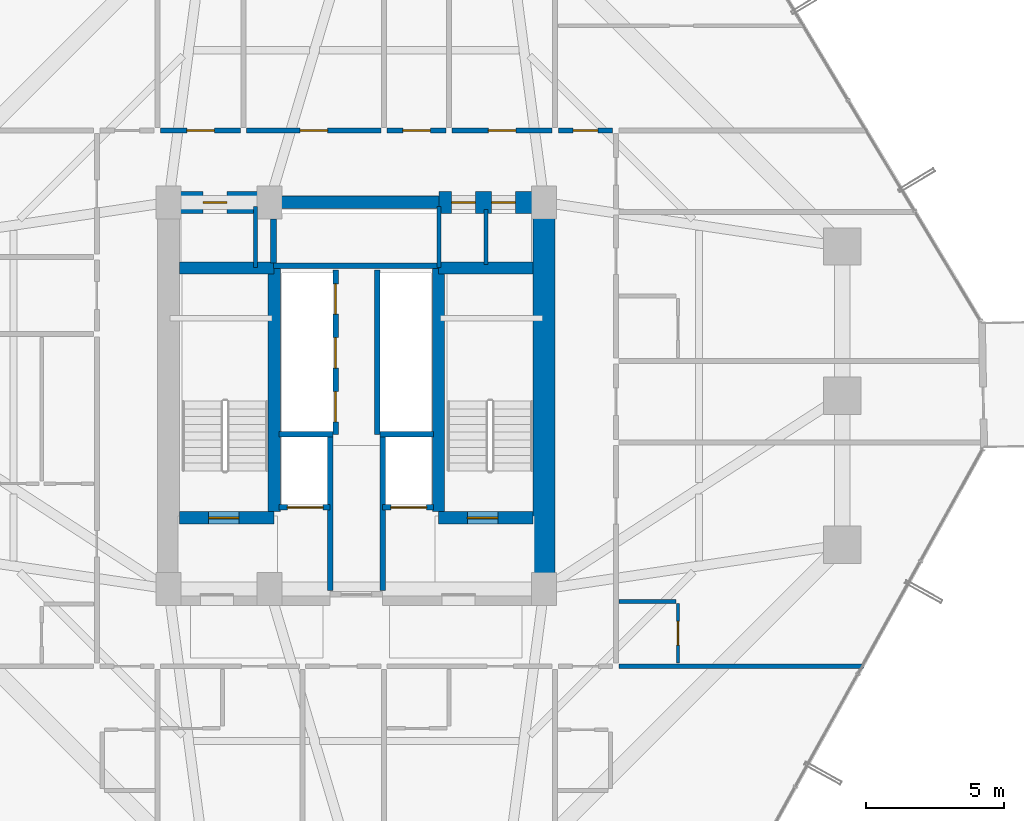
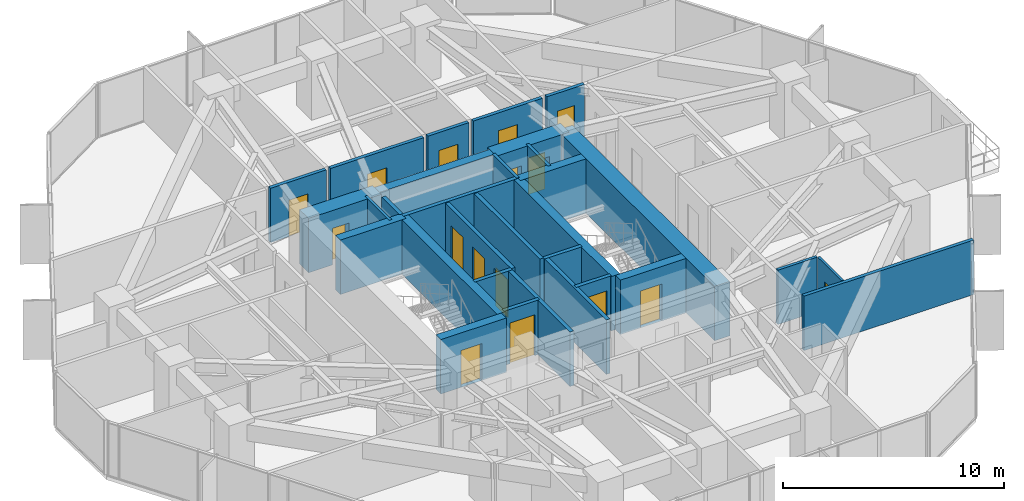
# One storey, part 36 of 39: 31 walls, 16 doors, 16 openings.
"""IFC4 building model written with IfcOpenShell, lengths in metres."""

from ifc_helpers import new_model, si_unit, direction, frame, frame_2d, origin, place, context, subcontext, project, spatial, rectangle, extrude, source, transform, mapped, material, layer, layer_set, type_object, element, fill, save


model = new_model("IFC4")

# Units and contexts
model_context = context("Model", 3, precision=1e-05, world=origin(), true_north=direction((0.0, 1.0)))
body_context = subcontext(model_context, "Body", "Model", "MODEL_VIEW")
ifc_project = project(units=[si_unit("LENGTHUNIT", "METRE"), si_unit("AREAUNIT", "SQUARE_METRE"), si_unit("VOLUMEUNIT", "CUBIC_METRE"), si_unit("PLANEANGLEUNIT", "RADIAN"), si_unit("MASSUNIT", "GRAM", prefix="KILO")], contexts=[model_context])

# Site, building, storey
site_placement = place(None, origin())
site = spatial("IfcSite", under=ifc_project, at=site_placement, CompositionType="ELEMENT")
building_placement = place(site_placement, origin())
building = spatial("IfcBuilding", under=site, at=building_placement, Name="Veraguas Prism Commons", CompositionType="ELEMENT")
storey_placement = place(building_placement, frame((0.0, 0.0, 27.300048828125)))
storey = spatial("IfcBuildingStorey", under=building, at=storey_placement, Name="L06", CompositionType="ELEMENT", Elevation=27.300048828125)

# Wall
ifc_material_1 = material(Name="Concrete C60/75", Category="concrete")
ifc_layer_1 = layer(ifc_material_1, 0.449951171875, Name="Core Internal Shear Wall Lower RC 450", Category="concrete")
ifc_layer_set_1 = layer_set([ifc_layer_1], Name="Concrete C60/75")
wall_type_1 = type_object("IfcWallType", Name="Core Internal Shear Wall Lower RC 450", PredefinedType="SHEAR", material=ifc_layer_set_1)
wall_1_placement = place(storey_placement, frame((21.0, 31.0, 0.0), z_axis=(0.0, 0.0, 1.0), x_axis=(1.0, 0.0, 0.0)))
element("IfcWall", 1, at=wall_1_placement, inside=storey, type_object=wall_type_1, Name="High-Rise Lift Bank Front Shear Wall L06", PredefinedType="SHEAR", context=body_context, shape_type="SweptSolid", body=[
    extrude(rectangle(XDim=6.0, YDim=0.449951171875, at=frame_2d((3.0, 0.0))), origin(), (0.0, 0.0, 1.0), 3.0),
])

# Wall, opening, door
wall_2_placement = place(storey_placement, frame((17.60009765625, 19.574951171875, 0.0), z_axis=(0.0, 0.0, 1.0), x_axis=(1.0, 0.0, 0.0)))
wall_2 = element("IfcWall", 2, at=wall_2_placement, inside=storey, type_object=wall_type_1, Name="Stair ST-01 South Shear Wall L06", PredefinedType="SHEAR", context=body_context, shape_type="SweptSolid", body=[
    extrude(rectangle(XDim=3.4248046875, YDim=0.449951171875, at=frame_2d((1.71240234375, 0.0))), origin(), (0.0, 0.0, 1.0), 3.0),
])
opening_1_placement = place(wall_2_placement, frame((1.050048828125, 0.0, 0.0)))
opening_1 = element("IfcOpeningElement", 3, at=opening_1_placement, cuts=wall_2, Name="Opening DR-05", PredefinedType="OPENING", context=body_context, shape_type="SweptSolid", body=[
    extrude(rectangle(XDim=1.10009765625, YDim=2.030029296875, at=frame_2d((0.550048828125, 1.01513671875))), frame((0.0, 0.23486328125, 0.0), z_axis=(0.0, -1.0, 0.0), x_axis=(1.0, 0.0, 0.0)), (0.0, 0.0, 1.0), 0.469970703125),
])
ifc_material_2 = material(Name="Steel fire-rated door assembly", Category="steel")
door_type_1 = type_object("IfcDoorType", Name="Protected Stair and Refuge Fire Door 1100x2030", OperationType="NOTDEFINED", PredefinedType="DOOR", material=ifc_material_2)
shared_shape_1 = source(origin(), body_context, "Body", "SweptSolid", [
    extrude(rectangle(XDim=1.10009765625, YDim=2.030029296875, at=frame_2d((0.550048828125, 1.01513671875))), frame((0.0, 0.02490234375, 0.0), z_axis=(0.0, -1.0, 0.0), x_axis=(1.0, 0.0, 0.0)), (0.0, 0.0, 1.0), 0.050048828125),
])
door_1_placement = place(opening_1_placement, origin())
door_1 = element("IfcDoor", 4, at=door_1_placement, inside=storey, type_object=door_type_1, Name="Stair ST-01 Enclosure Door L06", OperationType="SINGLE_SWING_LEFT", OverallHeight=2.030029296875, OverallWidth=1.10009765625, PredefinedType="DOOR", context=body_context, shape_type="MappedRepresentation", body=[
    mapped(shared_shape_1, transform((0.0, 0.0, 0.0), scale=1.0)),
])
fill(opening_1, door_1)

wall_3_placement = place(storey_placement, frame((26.97509765625, 19.574951171875, 0.0), z_axis=(0.0, 0.0, 1.0), x_axis=(1.0, 0.0, 0.0)))
wall_3 = element("IfcWall", 5, at=wall_3_placement, inside=storey, type_object=wall_type_1, Name="Stair ST-02 South Shear Wall L06", PredefinedType="SHEAR", context=body_context, shape_type="SweptSolid", body=[
    extrude(rectangle(XDim=3.4248046875, YDim=0.449951171875, at=frame_2d((1.71240234375, 0.0))), origin(), (0.0, 0.0, 1.0), 3.0),
])
opening_2_placement = place(wall_3_placement, frame((1.050048828125, 0.0, 0.0)))
opening_2 = element("IfcOpeningElement", 6, at=opening_2_placement, cuts=wall_3, Name="Opening DR-05", PredefinedType="OPENING", context=body_context, shape_type="SweptSolid", body=[
    extrude(rectangle(XDim=1.10009765625, YDim=2.030029296875, at=frame_2d((0.550048828125, 1.01513671875))), frame((0.0, 0.23486328125, 0.0), z_axis=(0.0, -1.0, 0.0), x_axis=(1.0, 0.0, 0.0)), (0.0, 0.0, 1.0), 0.469970703125),
])
door_2_placement = place(opening_2_placement, origin())
door_2 = element("IfcDoor", 7, at=door_2_placement, inside=storey, type_object=door_type_1, Name="Stair ST-02 Enclosure Door L06", OperationType="SINGLE_SWING_RIGHT", OverallHeight=2.030029296875, OverallWidth=1.10009765625, PredefinedType="DOOR", context=body_context, shape_type="MappedRepresentation", body=[
    mapped(shared_shape_1, transform((0.0, 0.0, 0.0), scale=1.0)),
])
fill(opening_2, door_2)

# Walls
for number, where, z_axis, x_axis, name in (
    (8, (21.02490234375, 19.800048828125, 0.0), (0.0, 0.0, 1.0), (0.0, 1.0, 0.0), "Stair ST-01 Inner Shear Wall L06"),
    (9, (26.97509765625, 19.800048828125, 0.0), (0.0, 0.0, 1.0), (0.0, 1.0, 0.0), "Stair ST-02 Inner Shear Wall L06"),
):
    element("IfcWall", number, at=place(storey_placement, frame(where, z_axis=z_axis, x_axis=x_axis)), inside=storey, type_object=wall_type_1, Name=name, PredefinedType="SHEAR", context=body_context, shape_type="SweptSolid", body=[
        extrude(rectangle(XDim=8.824951171875, YDim=0.449951171875, at=frame_2d((4.41259765625, 0.0))), origin(), (0.0, 0.0, 1.0), 3.0),
    ])
for number, where, z_axis, x_axis, name in (
    (10, (17.60009765625, 28.625, 0.0), (0.0, 0.0, 1.0), (1.0, 0.0, 0.0), "Stair ST-01 North Shear Wall L06"),
    (11, (26.97509765625, 28.625, 0.0), (0.0, 0.0, 1.0), (1.0, 0.0, 0.0), "Stair ST-02 North Shear Wall L06"),
):
    element("IfcWall", number, at=place(storey_placement, frame(where, z_axis=z_axis, x_axis=x_axis)), inside=storey, type_object=wall_type_1, Name=name, PredefinedType="SHEAR", context=body_context, shape_type="SweptSolid", body=[
        extrude(rectangle(XDim=3.4248046875, YDim=0.449951171875, at=frame_2d((1.71240234375, 0.0))), origin(), (0.0, 0.0, 1.0), 3.0),
    ])
ifc_layer_2 = layer(ifc_material_1, 0.800048828125, Name="Core Outer Shear Wall Lower RC 800", Category="concrete")
ifc_layer_set_2 = layer_set([ifc_layer_2], Name="Concrete C60/75")
wall_type_2 = type_object("IfcWallType", Name="Core Outer Shear Wall Lower RC 800", PredefinedType="SHEAR", material=ifc_layer_set_2)
wall_4_placement = place(storey_placement, frame((30.800048828125, 16.800048828125, 0.0), z_axis=(0.0, 0.0, 1.0), x_axis=(0.0, 1.0, 0.0)))
element("IfcWall", 12, at=wall_4_placement, inside=storey, type_object=wall_type_2, Name="Central Core East Shear Wall L06", PredefinedType="SHEAR", context=body_context, shape_type="SweptSolid", body=[
    extrude(rectangle(XDim=14.199951171875, YDim=0.800048828125, at=frame_2d((7.10009765625, 0.0))), origin(), (0.0, 0.0, 1.0), 3.0),
])

# Wall, opening, door
wall_5_placement = place(storey_placement, frame((17.199951171875, 31.0, 0.0), z_axis=(0.0, 0.0, 1.0), x_axis=(1.0, 0.0, 0.0)))
wall_5 = element("IfcWall", 13, at=wall_5_placement, inside=storey, type_object=wall_type_2, Name="Central Core North-West Shear Wall L06", PredefinedType="SHEAR", context=body_context, shape_type="SweptSolid", body=[
    extrude(rectangle(XDim=3.800048828125, YDim=0.800048828125, at=frame_2d((1.89990234375, 0.0))), origin(), (0.0, 0.0, 1.0), 3.0),
])
opening_3_placement = place(wall_5_placement, frame((1.25, 0.0, 0.0)))
opening_3 = element("IfcOpeningElement", 14, at=opening_3_placement, cuts=wall_5, Name="Opening DR-12", PredefinedType="OPENING", context=body_context, shape_type="SweptSolid", body=[
    extrude(rectangle(XDim=0.860107421875, YDim=2.010009765625, at=frame_2d((0.43017578125, 1.0048828125))), frame((0.0, 0.409912109375, 0.0), z_axis=(0.0, -1.0, 0.0), x_axis=(1.0, 0.0, 0.0)), (0.0, 0.0, 1.0), 0.820068359375),
])
door_type_2 = type_object("IfcDoorType", Name="Core WC Fire Door 860x2010", OperationType="NOTDEFINED", PredefinedType="DOOR", material=ifc_material_2)
shared_shape_2 = source(origin(), body_context, "Body", "SweptSolid", [
    extrude(rectangle(XDim=0.860107421875, YDim=2.010009765625, at=frame_2d((0.43017578125, 1.0048828125))), frame((0.0, 0.02490234375, 0.0), z_axis=(0.0, -1.0, 0.0), x_axis=(1.0, 0.0, 0.0)), (0.0, 0.0, 1.0), 0.050048828125),
])
door_3_placement = place(opening_3_placement, origin())
door_3 = element("IfcDoor", 15, at=door_3_placement, inside=storey, type_object=door_type_2, Name="Core NW Service Door L06", OperationType="SINGLE_SWING_RIGHT", OverallHeight=2.010009765625, OverallWidth=0.860107421875, PredefinedType="DOOR", context=body_context, shape_type="MappedRepresentation", body=[
    mapped(shared_shape_2, transform((0.0, 0.0, 0.0), scale=1.0)),
])
fill(opening_3, door_3)

# Wall, openings, doors
wall_6_placement = place(storey_placement, frame((27.0, 31.0, 0.0), z_axis=(0.0, 0.0, 1.0), x_axis=(1.0, 0.0, 0.0)))
wall_6 = element("IfcWall", 16, at=wall_6_placement, inside=storey, type_object=wall_type_2, Name="Central Core North-East Shear Wall L06", PredefinedType="SHEAR", context=body_context, shape_type="SweptSolid", body=[
    extrude(rectangle(XDim=3.800048828125, YDim=0.800048828125, at=frame_2d((1.89990234375, 0.0))), origin(), (0.0, 0.0, 1.0), 3.0),
])
opening_4_placement = place(wall_6_placement, frame((0.449951171875, 0.0, 0.0)))
opening_4 = element("IfcOpeningElement", 17, at=opening_4_placement, cuts=wall_6, Name="Opening DR-12", PredefinedType="OPENING", context=body_context, shape_type="SweptSolid", body=[
    extrude(rectangle(XDim=0.860107421875, YDim=2.010009765625, at=frame_2d((0.43017578125, 1.0048828125))), frame((0.0, 0.409912109375, 0.0), z_axis=(0.0, -1.0, 0.0), x_axis=(1.0, 0.0, 0.0)), (0.0, 0.0, 1.0), 0.820068359375),
])
opening_5_placement = place(wall_6_placement, frame((1.89990234375, 0.0, 0.0)))
opening_5 = element("IfcOpeningElement", 18, at=opening_5_placement, cuts=wall_6, Name="Opening DR-12", PredefinedType="OPENING", context=body_context, shape_type="SweptSolid", body=[
    extrude(rectangle(XDim=0.860107421875, YDim=2.010009765625, at=frame_2d((0.43017578125, 1.0048828125))), frame((0.0, 0.409912109375, 0.0), z_axis=(0.0, -1.0, 0.0), x_axis=(1.0, 0.0, 0.0)), (0.0, 0.0, 1.0), 0.820068359375),
])
door_4_placement = place(opening_4_placement, origin())
door_4 = element("IfcDoor", 19, at=door_4_placement, inside=storey, type_object=door_type_2, Name="Core NE Room A Door L06", OperationType="SINGLE_SWING_LEFT", OverallHeight=2.010009765625, OverallWidth=0.860107421875, PredefinedType="DOOR", context=body_context, shape_type="MappedRepresentation", body=[
    mapped(shared_shape_2, transform((0.0, 0.0, 0.0), scale=1.0)),
])
fill(opening_4, door_4)
door_5_placement = place(opening_5_placement, origin())
door_5 = element("IfcDoor", 20, at=door_5_placement, inside=storey, type_object=door_type_2, Name="Core NE Room B Door L06", OperationType="SINGLE_SWING_RIGHT", OverallHeight=2.010009765625, OverallWidth=0.860107421875, PredefinedType="DOOR", context=body_context, shape_type="MappedRepresentation", body=[
    mapped(shared_shape_2, transform((0.0, 0.0, 0.0), scale=1.0)),
])
fill(opening_5, door_5)

# Wall, opening, door
ifc_material_3 = material(Name="Autoclaved aerated masonry block 10 MPa", Category="masonry")
ifc_layer_3 = layer(ifc_material_3, 0.179931640625, Name="Corridor and Inter-Tenancy Partition 180", Category="masonry")
ifc_layer_set_3 = layer_set([ifc_layer_3], Name="Autoclaved aerated masonry block 10 MPa")
wall_type_3 = type_object("IfcWallType", Name="Corridor and Inter-Tenancy Partition 180", PredefinedType="PARTITIONING", material=ifc_layer_set_3)
wall_7_placement = place(storey_placement, frame((16.909912109375, 33.60009765625, 0.0), z_axis=(0.0, 0.0, 1.0), x_axis=(1.0, 0.0, 0.0)))
wall_7 = element("IfcWall", 21, at=wall_7_placement, inside=storey, type_object=wall_type_3, Name="WL-L06-PT014", PredefinedType="PARTITIONING", context=body_context, shape_type="SweptSolid", body=[
    extrude(rectangle(XDim=2.899169921875, YDim=0.179931640625, at=frame_2d((1.44970703125, 0.0))), origin(), (0.0, 0.0, 1.0), 3.0),
])
opening_6_placement = place(wall_7_placement, frame((0.949462890625, 0.0, 0.0)))
opening_6 = element("IfcOpeningElement", 22, at=opening_6_placement, cuts=wall_7, Name="Opening DR-13", PredefinedType="OPENING", context=body_context, shape_type="SweptSolid", body=[
    extrude(rectangle(XDim=1.0, YDim=2.010009765625, at=frame_2d((0.5, 1.0048828125))), frame((0.0, 0.099853515625, 0.0), z_axis=(0.0, -1.0, 0.0), x_axis=(1.0, 0.0, 0.0)), (0.0, 0.0, 1.0), 0.199951171875),
])
door_type_3 = type_object("IfcDoorType", Name="Core Accessible WC and Clinic Fire Door 1000x2010", OperationType="NOTDEFINED", PredefinedType="DOOR", material=ifc_material_2)
shared_shape_3 = source(origin(), body_context, "Body", "SweptSolid", [
    extrude(rectangle(XDim=1.0, YDim=2.010009765625, at=frame_2d((0.5, 1.0048828125))), frame((0.0, 0.02490234375, 0.0), z_axis=(0.0, -1.0, 0.0), x_axis=(1.0, 0.0, 0.0)), (0.0, 0.0, 1.0), 0.050048828125),
])
door_6_placement = place(opening_6_placement, origin())
door_6 = element("IfcDoor", 23, at=door_6_placement, inside=storey, type_object=door_type_3, Name="Residents Study Room Door", OperationType="SINGLE_SWING_RIGHT", OverallHeight=2.010009765625, OverallWidth=1.0, PredefinedType="DOOR", context=body_context, shape_type="MappedRepresentation", body=[
    mapped(shared_shape_3, transform((0.0, 0.0, 0.0), scale=1.0)),
])
fill(opening_6, door_6)

wall_8_placement = place(storey_placement, frame((20.029052734375, 33.60009765625, 0.0), z_axis=(0.0, 0.0, 1.0), x_axis=(1.0, 0.0, 0.0)))
wall_8 = element("IfcWall", 24, at=wall_8_placement, inside=storey, type_object=wall_type_3, Name="WL-L06-PT015", PredefinedType="PARTITIONING", context=body_context, shape_type="SweptSolid", body=[
    extrude(rectangle(XDim=4.868896484375, YDim=0.179931640625, at=frame_2d((2.4345703125, 0.0))), origin(), (0.0, 0.0, 1.0), 3.0),
])
opening_7_placement = place(wall_8_placement, frame((1.9345703125, 0.0, 0.0)))
opening_7 = element("IfcOpeningElement", 25, at=opening_7_placement, cuts=wall_8, Name="Opening DR-13", PredefinedType="OPENING", context=body_context, shape_type="SweptSolid", body=[
    extrude(rectangle(XDim=1.0, YDim=2.010009765625, at=frame_2d((0.5, 1.0048828125))), frame((0.0, 0.099853515625, 0.0), z_axis=(0.0, -1.0, 0.0), x_axis=(1.0, 0.0, 0.0)), (0.0, 0.0, 1.0), 0.199951171875),
])
door_7_placement = place(opening_7_placement, origin())
door_7 = element("IfcDoor", 26, at=door_7_placement, inside=storey, type_object=door_type_3, Name="Co-op Store N Door", OperationType="SINGLE_SWING_LEFT", OverallHeight=2.010009765625, OverallWidth=1.0, PredefinedType="DOOR", context=body_context, shape_type="MappedRepresentation", body=[
    mapped(shared_shape_3, transform((0.0, 0.0, 0.0), scale=1.0)),
])
fill(opening_7, door_7)

wall_9_placement = place(storey_placement, frame((25.117919921875, 33.60009765625, 0.0), z_axis=(0.0, 0.0, 1.0), x_axis=(1.0, 0.0, 0.0)))
wall_9 = element("IfcWall", 27, at=wall_9_placement, inside=storey, type_object=wall_type_3, Name="WL-L06-PT018", PredefinedType="PARTITIONING", context=body_context, shape_type="SweptSolid", body=[
    extrude(rectangle(XDim=2.133056640625, YDim=0.179931640625, at=frame_2d((1.06640625, 0.0))), origin(), (0.0, 0.0, 1.0), 3.0),
])
opening_8_placement = place(wall_9_placement, frame((0.56640625, 0.0, 0.0)))
opening_8 = element("IfcOpeningElement", 28, at=opening_8_placement, cuts=wall_9, Name="Opening DR-13", PredefinedType="OPENING", context=body_context, shape_type="SweptSolid", body=[
    extrude(rectangle(XDim=1.0, YDim=2.010009765625, at=frame_2d((0.5, 1.0048828125))), frame((0.0, 0.099853515625, 0.0), z_axis=(0.0, -1.0, 0.0), x_axis=(1.0, 0.0, 0.0)), (0.0, 0.0, 1.0), 0.199951171875),
])
door_8_placement = place(opening_8_placement, origin())
door_8 = element("IfcDoor", 29, at=door_8_placement, inside=storey, type_object=door_type_3, Name="Shared Laundry Room Door", OperationType="SINGLE_SWING_RIGHT", OverallHeight=2.010009765625, OverallWidth=1.0, PredefinedType="DOOR", context=body_context, shape_type="MappedRepresentation", body=[
    mapped(shared_shape_3, transform((0.0, 0.0, 0.0), scale=1.0)),
])
fill(opening_8, door_8)

wall_10_placement = place(storey_placement, frame((27.470947265625, 33.60009765625, 0.0), z_axis=(0.0, 0.0, 1.0), x_axis=(1.0, 0.0, 0.0)))
wall_10 = element("IfcWall", 30, at=wall_10_placement, inside=storey, type_object=wall_type_3, Name="WL-L06-PT019", PredefinedType="PARTITIONING", context=body_context, shape_type="SweptSolid", body=[
    extrude(rectangle(XDim=3.619140625, YDim=0.179931640625, at=frame_2d((1.8095703125, 0.0))), origin(), (0.0, 0.0, 1.0), 3.0),
])
opening_9_placement = place(wall_10_placement, frame((1.3095703125, 0.0, 0.0)))
opening_9 = element("IfcOpeningElement", 31, at=opening_9_placement, cuts=wall_10, Name="Opening DR-13", PredefinedType="OPENING", context=body_context, shape_type="SweptSolid", body=[
    extrude(rectangle(XDim=1.0, YDim=2.010009765625, at=frame_2d((0.5, 1.0048828125))), frame((0.0, 0.099853515625, 0.0), z_axis=(0.0, -1.0, 0.0), x_axis=(1.0, 0.0, 0.0)), (0.0, 0.0, 1.0), 0.199951171875),
])
door_9_placement = place(opening_9_placement, origin())
door_9 = element("IfcDoor", 32, at=door_9_placement, inside=storey, type_object=door_type_3, Name="Co-op Store N Door", OperationType="SINGLE_SWING_LEFT", OverallHeight=2.010009765625, OverallWidth=1.0, PredefinedType="DOOR", context=body_context, shape_type="MappedRepresentation", body=[
    mapped(shared_shape_3, transform((0.0, 0.0, 0.0), scale=1.0)),
])
fill(opening_9, door_9)

# Wall
wall_11_placement = place(storey_placement, frame((33.52001953125, 14.199951171875, 0.0), z_axis=(0.0, 0.0, 1.0), x_axis=(1.0, 0.0, 0.0)))
element("IfcWall", 33, at=wall_11_placement, inside=storey, type_object=wall_type_3, Name="WL-L06-PT035", PredefinedType="PARTITIONING", context=body_context, shape_type="SweptSolid", body=[
    extrude(rectangle(XDim=8.846435546875, YDim=0.179931640625, at=frame_2d((4.42333984375, 0.0))), origin(), (0.0, 0.0, 1.0), 3.0),
])

# Wall, opening, door
wall_12_placement = place(storey_placement, frame((31.320068359375, 33.60009765625, 0.0), z_axis=(0.0, 0.0, 1.0), x_axis=(1.0, 0.0, 0.0)))
wall_12 = element("IfcWall", 34, at=wall_12_placement, inside=storey, type_object=wall_type_3, Name="WL-L06-PT057", PredefinedType="PARTITIONING", context=body_context, shape_type="SweptSolid", body=[
    extrude(rectangle(XDim=1.9599609375, YDim=0.179931640625, at=frame_2d((0.97998046875, 0.0))), origin(), (0.0, 0.0, 1.0), 3.0),
])
opening_10_placement = place(wall_12_placement, frame((0.530029296875, 0.0, 0.0)))
opening_10 = element("IfcOpeningElement", 35, at=opening_10_placement, cuts=wall_12, Name="Opening DR-14", PredefinedType="OPENING", context=body_context, shape_type="SweptSolid", body=[
    extrude(rectangle(XDim=0.89990234375, YDim=2.010009765625, at=frame_2d((0.449951171875, 1.0048828125))), frame((0.0, 0.099853515625, 0.0), z_axis=(0.0, -1.0, 0.0), x_axis=(1.0, 0.0, 0.0)), (0.0, 0.0, 1.0), 0.199951171875),
])
door_type_4 = type_object("IfcDoorType", Name="Core Service Room Fire Door 900x2010", OperationType="NOTDEFINED", PredefinedType="DOOR", material=ifc_material_2)
shared_shape_4 = source(origin(), body_context, "Body", "SweptSolid", [
    extrude(rectangle(XDim=0.89990234375, YDim=2.010009765625, at=frame_2d((0.449951171875, 1.0048828125))), frame((0.0, 0.02490234375, 0.0), z_axis=(0.0, -1.0, 0.0), x_axis=(1.0, 0.0, 0.0)), (0.0, 0.0, 1.0), 0.050048828125),
])
door_10_placement = place(opening_10_placement, origin())
door_10 = element("IfcDoor", 36, at=door_10_placement, inside=storey, type_object=door_type_4, Name="Shared Laundry Room Door", OperationType="SINGLE_SWING_RIGHT", OverallHeight=2.010009765625, OverallWidth=0.89990234375, PredefinedType="DOOR", context=body_context, shape_type="MappedRepresentation", body=[
    mapped(shared_shape_4, transform((0.0, 0.0, 0.0), scale=1.0)),
])
fill(opening_10, door_10)

ifc_material_4 = material(Name="Lightweight acoustic gypsum board")
ifc_layer_4 = layer(ifc_material_4, 0.125, Name="Internal Apartment Room Partition 125")
ifc_layer_set_4 = layer_set([ifc_layer_4], Name="Lightweight acoustic gypsum board")
wall_type_4 = type_object("IfcWallType", Name="Internal Apartment Room Partition 125", PredefinedType="PARTITIONING", material=ifc_layer_set_4)
wall_13_placement = place(storey_placement, frame((35.64990234375, 14.320068359375, 0.0), z_axis=(0.0, 0.0, 1.0), x_axis=(0.0, 1.0, 0.0)))
wall_13 = element("IfcWall", 37, at=wall_13_placement, inside=storey, type_object=wall_type_4, Name="WL-L06-PT041", PredefinedType="PARTITIONING", context=body_context, shape_type="SweptSolid", body=[
    extrude(rectangle(XDim=2.14990234375, YDim=0.125, at=frame_2d((1.074951171875, 0.0))), origin(), (0.0, 0.0, 1.0), 3.0),
])
opening_11_placement = place(wall_13_placement, frame((0.64501953125, 0.0, 0.0)))
opening_11 = element("IfcOpeningElement", 38, at=opening_11_placement, cuts=wall_13, Name="Opening DR-03", PredefinedType="OPENING", context=body_context, shape_type="SweptSolid", body=[
    extrude(rectangle(XDim=0.860107421875, YDim=2.010009765625, at=frame_2d((0.43017578125, 1.0048828125))), frame((0.0, 0.072509765625, 0.0), z_axis=(0.0, -1.0, 0.0), x_axis=(1.0, 0.0, 0.0)), (0.0, 0.0, 1.0), 0.14501953125),
])
ifc_material_5 = material(Name="Timber moisture-resistant leaf", Category="wood")
door_type_5 = type_object("IfcDoorType", Name="Internal Bathroom Door 860x2010", OperationType="NOTDEFINED", PredefinedType="DOOR", material=ifc_material_5)
door_11_placement = place(opening_11_placement, origin())
door_11 = element("IfcDoor", 39, at=door_11_placement, inside=storey, type_object=door_type_5, Name="Studio 06D Bathroom Door", OperationType="SINGLE_SWING_LEFT", OverallHeight=2.010009765625, OverallWidth=0.860107421875, PredefinedType="DOOR", context=body_context, shape_type="MappedRepresentation", body=[
    mapped(shared_shape_2, transform((0.0, 0.0, 0.0), scale=1.0)),
])
fill(opening_11, door_11)

ifc_layer_5 = layer(ifc_material_3, 0.199951171875, Name="Rated Shaft and Lobby Block Wall 200", Category="masonry")
ifc_layer_set_5 = layer_set([ifc_layer_5], Name="Autoclaved aerated masonry block 10 MPa")
wall_type_5 = type_object("IfcWallType", Name="Rated Shaft and Lobby Block Wall 200", PredefinedType="SOLIDWALL", material=ifc_layer_set_5)
wall_14_placement = place(storey_placement, frame((21.199951171875, 19.949951171875, 0.0), z_axis=(0.0, 0.0, 1.0), x_axis=(1.0, 0.0, 0.0)))
wall_14 = element("IfcWall", 40, at=wall_14_placement, inside=storey, type_object=wall_type_5, Name="Firefighting Lift FFL-1 Front Wall L06", PredefinedType="SOLIDWALL", context=body_context, shape_type="SweptSolid", body=[
    extrude(rectangle(XDim=1.85009765625, YDim=0.199951171875, at=frame_2d((0.925048828125, 0.0))), origin(), (0.0, 0.0, 1.0), 3.0),
])
opening_12_placement = place(wall_14_placement, frame((0.300048828125, 0.0, 0.0)))
opening_12 = element("IfcOpeningElement", 41, at=opening_12_placement, cuts=wall_14, Name="Opening LD-02", PredefinedType="OPENING", context=body_context, shape_type="SweptSolid", body=[
    extrude(rectangle(XDim=1.300048828125, YDim=2.25, at=frame_2d((0.64990234375, 1.125))), frame((0.0, 0.10986328125, 0.0), z_axis=(0.0, -1.0, 0.0), x_axis=(1.0, 0.0, 0.0)), (0.0, 0.0, 1.0), 0.219970703125),
])
ifc_material_6 = material(Name="Stainless steel AISI 316", Category="steel")
door_type_6 = type_object("IfcDoorType", Name="Firefighting Lift Sliding Landing Door 1300x2250", OperationType="NOTDEFINED", PredefinedType="DOOR", material=ifc_material_6)
shared_shape_5 = source(origin(), body_context, "Body", "SweptSolid", [
    extrude(rectangle(XDim=1.300048828125, YDim=2.25, at=frame_2d((0.64990234375, 1.125))), frame((0.0, 0.02490234375, 0.0), z_axis=(0.0, -1.0, 0.0), x_axis=(1.0, 0.0, 0.0)), (0.0, 0.0, 1.0), 0.050048828125),
])
door_12_placement = place(opening_12_placement, origin())
door_12 = element("IfcDoor", 42, at=door_12_placement, inside=storey, type_object=door_type_6, Name="Firefighting Lift FFL-1 Landing Door L06", OperationType="SLIDING_TO_LEFT", OverallHeight=2.25, OverallWidth=1.300048828125, PredefinedType="DOOR", context=body_context, shape_type="MappedRepresentation", body=[
    mapped(shared_shape_5, transform((0.0, 0.0, 0.0), scale=1.0)),
])
fill(opening_12, door_12)

wall_15_placement = place(storey_placement, frame((24.949951171875, 19.949951171875, 0.0), z_axis=(0.0, 0.0, 1.0), x_axis=(1.0, 0.0, 0.0)))
wall_15 = element("IfcWall", 43, at=wall_15_placement, inside=storey, type_object=wall_type_5, Name="Firefighting Lift FFL-2 Front Wall L06", PredefinedType="SOLIDWALL", context=body_context, shape_type="SweptSolid", body=[
    extrude(rectangle(XDim=1.85009765625, YDim=0.199951171875, at=frame_2d((0.925048828125, 0.0))), origin(), (0.0, 0.0, 1.0), 3.0),
])
opening_13_placement = place(wall_15_placement, frame((0.300048828125, 0.0, 0.0)))
opening_13 = element("IfcOpeningElement", 44, at=opening_13_placement, cuts=wall_15, Name="Opening LD-02", PredefinedType="OPENING", context=body_context, shape_type="SweptSolid", body=[
    extrude(rectangle(XDim=1.300048828125, YDim=2.25, at=frame_2d((0.64990234375, 1.125))), frame((0.0, 0.10986328125, 0.0), z_axis=(0.0, -1.0, 0.0), x_axis=(1.0, 0.0, 0.0)), (0.0, 0.0, 1.0), 0.219970703125),
])
door_13_placement = place(opening_13_placement, origin())
door_13 = element("IfcDoor", 45, at=door_13_placement, inside=storey, type_object=door_type_6, Name="Firefighting Lift FFL-2 Front Wall L06", OperationType="SLIDING_TO_LEFT", OverallHeight=2.25, OverallWidth=1.300048828125, PredefinedType="DOOR", context=body_context, shape_type="MappedRepresentation", body=[
    mapped(shared_shape_5, transform((0.0, 0.0, 0.0), scale=1.0)),
])
fill(opening_13, door_13)

# Walls
for number, where, z_axis, x_axis, name in (
    (46, (23.050048828125, 16.949951171875, 0.0), (0.0, 0.0, 1.0), (0.0, 1.0, 0.0), "West FF Lobby Divider Wall L06"),
    (47, (24.949951171875, 16.949951171875, 0.0), (0.0, 0.0, 1.0), (0.0, 1.0, 0.0), "East FF Lobby Divider Wall L06"),
):
    element("IfcWall", number, at=place(storey_placement, frame(where, z_axis=z_axis, x_axis=x_axis)), inside=storey, type_object=wall_type_5, Name=name, PredefinedType="SOLIDWALL", context=body_context, shape_type="SweptSolid", body=[
        extrude(rectangle(XDim=5.60009765625, YDim=0.199951171875, at=frame_2d((2.800048828125, 0.0))), origin(), (0.0, 0.0, 1.0), 3.0),
    ])
for number, where, z_axis, x_axis, name in (
    (48, (21.199951171875, 22.60009765625, 0.0), (0.0, 0.0, 1.0), (1.0, 0.0, 0.0), "Firefighting Lift FFL-1 Rear Wall L06"),
    (49, (24.85009765625, 22.60009765625, 0.0), (0.0, 0.0, 1.0), (1.0, 0.0, 0.0), "Firefighting Lift FFL-2 Rear Wall L06"),
):
    element("IfcWall", number, at=place(storey_placement, frame(where, z_axis=z_axis, x_axis=x_axis)), inside=storey, type_object=wall_type_5, Name=name, PredefinedType="SOLIDWALL", context=body_context, shape_type="SweptSolid", body=[
        extrude(rectangle(XDim=1.949951171875, YDim=0.199951171875, at=frame_2d((0.97509765625, 0.0))), origin(), (0.0, 0.0, 1.0), 3.0),
    ])
wall_16_placement = place(storey_placement, frame((21.0, 28.699951171875, 0.0), z_axis=(0.0, 0.0, 1.0), x_axis=(1.0, 0.0, 0.0)))
element("IfcWall", 50, at=wall_16_placement, inside=storey, type_object=wall_type_5, Name="High-Rise Lift Bank Rear Shaft Wall L06", PredefinedType="SOLIDWALL", context=body_context, shape_type="SweptSolid", body=[
    extrude(rectangle(XDim=6.0, YDim=0.199951171875, at=frame_2d((3.0, 0.0))), origin(), (0.0, 0.0, 1.0), 3.0),
])
wall_17_placement = place(storey_placement, frame((21.0, 28.800048828125, 0.0), z_axis=(0.0, 0.0, 1.0), x_axis=(0.0, 1.0, 0.0)))
element("IfcWall", 51, at=wall_17_placement, inside=storey, type_object=wall_type_5, Name="High-Rise Lift Bank West Shaft Wall L06", PredefinedType="SOLIDWALL", context=body_context, shape_type="SweptSolid", body=[
    extrude(rectangle(XDim=1.599853515625, YDim=0.199951171875, at=frame_2d((0.7998046875, 0.0))), origin(), (0.0, 0.0, 1.0), 3.0),
])

# Wall, openings, doors
wall_18_placement = place(storey_placement, frame((23.25, 22.60009765625, 0.0), z_axis=(0.0, 0.0, 1.0), x_axis=(0.0, 1.0, 0.0)))
wall_18 = element("IfcWall", 52, at=wall_18_placement, inside=storey, type_object=wall_type_5, Name="Low-Rise Lift Bank Front Wall L06", PredefinedType="SOLIDWALL", context=body_context, shape_type="SweptSolid", body=[
    extrude(rectangle(XDim=5.949951171875, YDim=0.199951171875, at=frame_2d((2.97509765625, 0.0))), origin(), (0.0, 0.0, 1.0), 3.0),
])
opening_14_placement = place(wall_18_placement, frame((0.449951171875, 0.0, 0.0)))
opening_14 = element("IfcOpeningElement", 53, at=opening_14_placement, cuts=wall_18, Name="Opening LD-01", PredefinedType="OPENING", context=body_context, shape_type="SweptSolid", body=[
    extrude(rectangle(XDim=1.10009765625, YDim=2.080078125, at=frame_2d((0.550048828125, 1.0400390625))), frame((0.0, 0.10986328125, 0.0), z_axis=(0.0, -1.0, 0.0), x_axis=(1.0, 0.0, 0.0)), (0.0, 0.0, 1.0), 0.219970703125),
])
opening_15_placement = place(wall_18_placement, frame((2.39990234375, 0.0, 0.0)))
opening_15 = element("IfcOpeningElement", 54, at=opening_15_placement, cuts=wall_18, Name="Opening LD-01", PredefinedType="OPENING", context=body_context, shape_type="SweptSolid", body=[
    extrude(rectangle(XDim=1.10009765625, YDim=2.080078125, at=frame_2d((0.550048828125, 1.0400390625))), frame((0.0, 0.10986328125, 0.0), z_axis=(0.0, -1.0, 0.0), x_axis=(1.0, 0.0, 0.0)), (0.0, 0.0, 1.0), 0.219970703125),
])
opening_16_placement = place(wall_18_placement, frame((4.35009765625, 0.0, 0.0)))
opening_16 = element("IfcOpeningElement", 55, at=opening_16_placement, cuts=wall_18, Name="Opening LD-01", PredefinedType="OPENING", context=body_context, shape_type="SweptSolid", body=[
    extrude(rectangle(XDim=1.10009765625, YDim=2.080078125, at=frame_2d((0.550048828125, 1.0400390625))), frame((0.0, 0.10986328125, 0.0), z_axis=(0.0, -1.0, 0.0), x_axis=(1.0, 0.0, 0.0)), (0.0, 0.0, 1.0), 0.219970703125),
])
door_type_7 = type_object("IfcDoorType", Name="Passenger Lift Sliding Landing Door 1100x2080", OperationType="NOTDEFINED", PredefinedType="DOOR", material=ifc_material_6)
shared_shape_6 = source(origin(), body_context, "Body", "SweptSolid", [
    extrude(rectangle(XDim=1.10009765625, YDim=2.080078125, at=frame_2d((0.550048828125, 1.0400390625))), frame((0.0, 0.02490234375, 0.0), z_axis=(0.0, -1.0, 0.0), x_axis=(1.0, 0.0, 0.0)), (0.0, 0.0, 1.0), 0.050048828125),
])
door_14_placement = place(opening_14_placement, origin())
door_14 = element("IfcDoor", 56, at=door_14_placement, inside=storey, type_object=door_type_7, Name="Sliding Landing Door PL-L1 L06", OperationType="SLIDING_TO_LEFT", OverallHeight=2.080078125, OverallWidth=1.10009765625, PredefinedType="DOOR", context=body_context, shape_type="MappedRepresentation", body=[
    mapped(shared_shape_6, transform((0.0, 0.0, 0.0), scale=1.0)),
])
fill(opening_14, door_14)
door_15_placement = place(opening_15_placement, origin())
door_15 = element("IfcDoor", 57, at=door_15_placement, inside=storey, type_object=door_type_7, Name="Sliding Landing Door PL-L2 L06", OperationType="SLIDING_TO_LEFT", OverallHeight=2.080078125, OverallWidth=1.10009765625, PredefinedType="DOOR", context=body_context, shape_type="MappedRepresentation", body=[
    mapped(shared_shape_6, transform((0.0, 0.0, 0.0), scale=1.0)),
])
fill(opening_15, door_15)
door_16_placement = place(opening_16_placement, origin())
door_16 = element("IfcDoor", 58, at=door_16_placement, inside=storey, type_object=door_type_7, Name="Sliding Landing Door PL-L3 L06", OperationType="SLIDING_TO_LEFT", OverallHeight=2.080078125, OverallWidth=1.10009765625, PredefinedType="DOOR", context=body_context, shape_type="MappedRepresentation", body=[
    mapped(shared_shape_6, transform((0.0, 0.0, 0.0), scale=1.0)),
])
fill(opening_16, door_16)

# Walls
wall_19_placement = place(storey_placement, frame((24.75, 22.60009765625, 0.0), z_axis=(0.0, 0.0, 1.0), x_axis=(0.0, 1.0, 0.0)))
element("IfcWall", 59, at=wall_19_placement, inside=storey, type_object=wall_type_5, Name="Mid-Rise Lift Bank Front Wall L06", PredefinedType="SOLIDWALL", context=body_context, shape_type="SweptSolid", body=[
    extrude(rectangle(XDim=5.949951171875, YDim=0.199951171875, at=frame_2d((2.97509765625, 0.0))), origin(), (0.0, 0.0, 1.0), 3.0),
])
ifc_layer_6 = layer(ifc_material_4, 0.14990234375, Name="Wet Room and Clinic Acoustic Partition 150")
ifc_layer_set_6 = layer_set([ifc_layer_6], Name="Lightweight acoustic gypsum board")
wall_type_6 = type_object("IfcWallType", Name="Wet Room and Clinic Acoustic Partition 150", PredefinedType="PARTITIONING", material=ifc_layer_set_6)
for number, where, z_axis, x_axis, name in (
    (60, (20.35009765625, 28.64990234375, 0.0), (0.0, 0.0, 1.0), (0.0, 1.0, 0.0), "Core NW Service Inner Wall L06"),
    (61, (27.0, 28.64990234375, 0.0), (0.0, 0.0, 1.0), (0.0, 1.0, 0.0), "Core NE Service Inner Wall L06"),
):
    element("IfcWall", number, at=place(storey_placement, frame(where, z_axis=z_axis, x_axis=x_axis)), inside=storey, type_object=wall_type_6, Name=name, PredefinedType="PARTITIONING", context=body_context, shape_type="SweptSolid", body=[
        extrude(rectangle(XDim=2.2001953125, YDim=0.14990234375, at=frame_2d((1.10009765625, 0.0))), origin(), (0.0, 0.0, 1.0), 3.0),
    ])
wall_20_placement = place(storey_placement, frame((28.699951171875, 28.75, 0.0), z_axis=(0.0, 0.0, 1.0), x_axis=(0.0, 1.0, 0.0)))
element("IfcWall", 62, at=wall_20_placement, inside=storey, type_object=wall_type_6, Name="WL-L06-CSVD1", PredefinedType="PARTITIONING", context=body_context, shape_type="SweptSolid", body=[
    extrude(rectangle(XDim=2.0, YDim=0.14990234375, at=frame_2d((1.0, 0.0))), origin(), (0.0, 0.0, 1.0), 3.0),
])
wall_21_placement = place(storey_placement, frame((33.52001953125, 16.550048828125, 0.0), z_axis=(0.0, 0.0, 1.0), x_axis=(1.0, 0.0, 0.0)))
element("IfcWall", 63, at=wall_21_placement, inside=storey, type_object=wall_type_6, Name="WL-L06-PT040", PredefinedType="PARTITIONING", context=body_context, shape_type="SweptSolid", body=[
    extrude(rectangle(XDim=2.050048828125, YDim=0.14990234375, at=frame_2d((1.02490234375, 0.0))), origin(), (0.0, 0.0, 1.0), 3.0),
])

save(model, "model.ifc")
